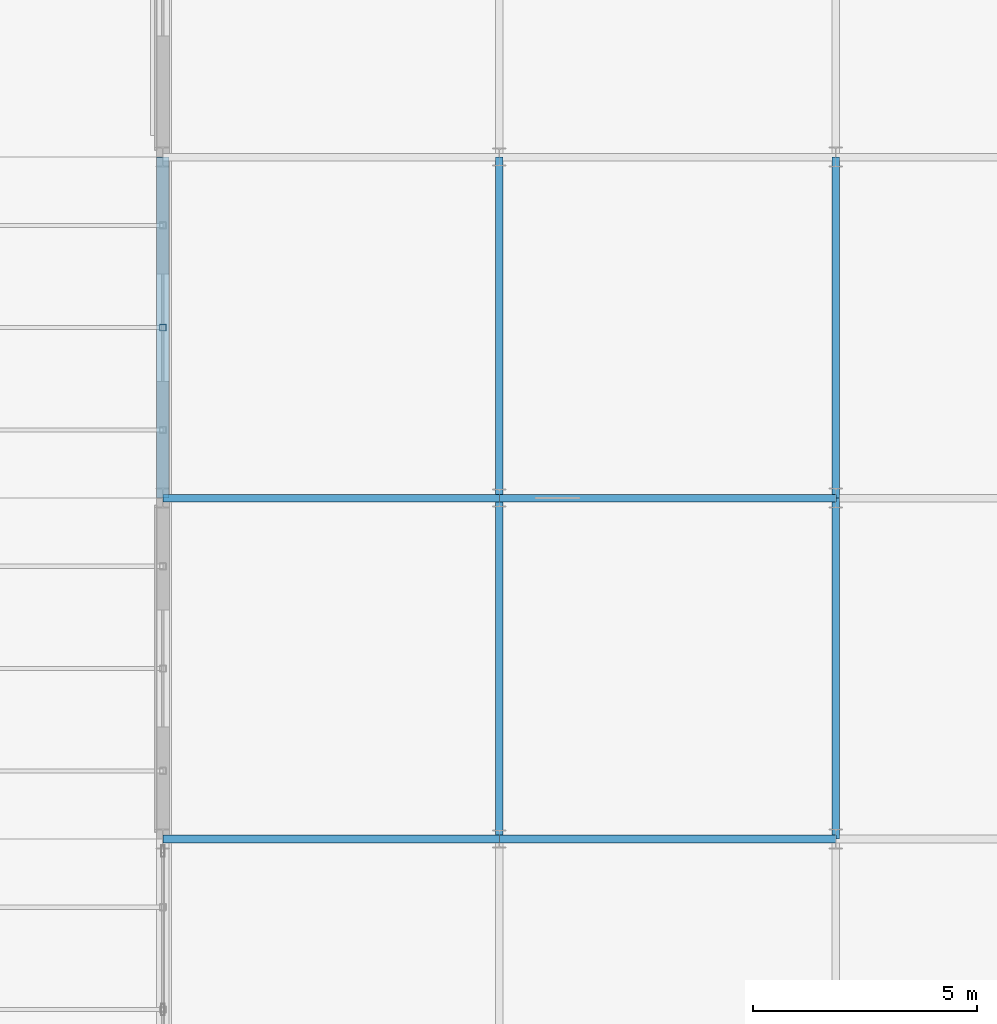
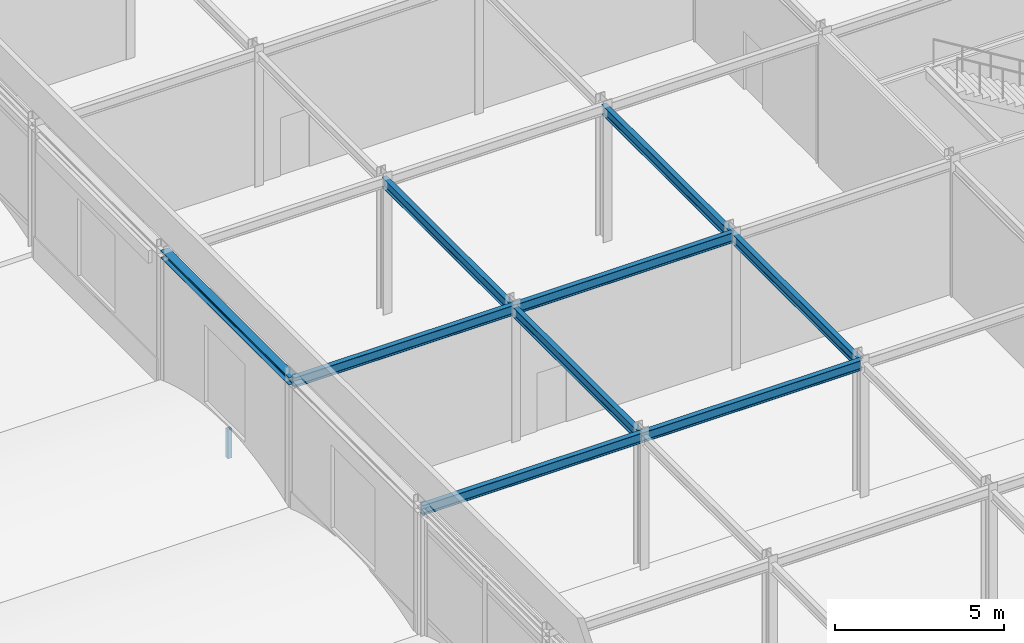
# One storey, part 23 of 113: 9 beams, 1 member.
"""IFC4 building model written with IfcOpenShell, lengths in metres."""

from ifc_helpers import new_model, si_unit, direction, frame, origin, origin_2d, place, context, subcontext, project, spatial, hollow_rectangle, i_section, extrude, material, material_profile, profile_set, type_object, element, save


model = new_model("IFC4")

# Units and contexts
model_context = context("Model", 3, precision=1e-05, world=origin(), true_north=direction((0.0, 1.0)))
body_context = subcontext(model_context, "Body", "Model", "MODEL_VIEW")
ifc_project = project(units=[si_unit("LENGTHUNIT", "METRE"), si_unit("AREAUNIT", "SQUARE_METRE"), si_unit("VOLUMEUNIT", "CUBIC_METRE"), si_unit("PLANEANGLEUNIT", "RADIAN"), si_unit("MASSUNIT", "GRAM", prefix="KILO")], contexts=[model_context])

# Site, building, storey
site_placement = place(None, origin())
site = spatial("IfcSite", under=ifc_project, at=site_placement, CompositionType="ELEMENT")
building_placement = place(site_placement, origin())
building = spatial("IfcBuilding", under=site, at=building_placement, Name="Shalkamar Park Central Library", CompositionType="ELEMENT")
storey_placement = place(building_placement, frame((0.0, 0.0, 5.39990234375)))
storey = spatial("IfcBuildingStorey", under=building, at=storey_placement, Name="L02", CompositionType="ELEMENT", Elevation=5.39990234375)

# Member
ifc_material = material(Name="Steel S355", Category="steel")
ifc_material_profile_1 = material_profile(ifc_material, hollow_rectangle(XDim=0.14990234375, YDim=0.14990234375, WallThickness=0.008056640625, InnerFilletRadius=0.008056640625, OuterFilletRadius=0.011962890625, at=origin_2d()), Name="SHS 150x150x8")
ifc_profile_set_1 = profile_set([ifc_material_profile_1], Name="Steel S355")
member_type = type_object("IfcMemberType", Name="Diagonal Brace SHS150", PredefinedType="BRACE", material=ifc_profile_set_1)
member_placement = place(storey_placement, frame((135.0, 304.60009765625, -0.35986328125), z_axis=(0.0, 0.0, 1.0), x_axis=(1.0, 0.0, 0.0)))
element("IfcMember", 1, at=member_placement, inside=storey, type_object=member_type, Name="Vault Arch Post BV-L01-W7-03.2", PredefinedType="BRACE", context=body_context, shape_type="SweptSolid", body=[
    extrude(hollow_rectangle(XDim=0.14990234375, YDim=0.14990234375, WallThickness=0.008056640625, InnerFilletRadius=0.008056640625, OuterFilletRadius=0.011962890625, at=origin_2d()), origin(), (0.0, 0.0, 1.0), 1.0400390625),
])

# Beams
ifc_material_profile_2 = material_profile(ifc_material, i_section(OverallWidth=0.280029296875, OverallDepth=0.27001953125, WebThickness=0.008056640625, FlangeThickness=0.012939453125, FilletRadius=0.02392578125, at=origin_2d()), Name="HEA 280")
ifc_profile_set_2 = profile_set([ifc_material_profile_2], Name="Steel S355")
beam_type_1 = type_object("IfcBeamType", Name="Perimeter Spandrel Beam HEA280", PredefinedType="SPANDREL", material=ifc_profile_set_2)
beam_1_placement = place(storey_placement, frame((135.0, 300.800048828125, 4.715087890625), z_axis=(0.0, 1.0, 0.0), x_axis=(-1.0, 0.0, 0.0)))
element("IfcBeam", 2, at=beam_1_placement, inside=storey, type_object=beam_type_1, Name="Beam 03:J-K (L02)", PredefinedType="SPANDREL", context=body_context, shape_type="SweptSolid", body=[
    extrude(i_section(OverallWidth=0.280029296875, OverallDepth=0.27001953125, WebThickness=0.008056640625, FlangeThickness=0.012939453125, FilletRadius=0.02392578125, at=origin_2d()), origin(), (0.0, 0.0, 1.0), 7.599853515625),
])
ifc_material_profile_3 = material_profile(ifc_material, i_section(OverallWidth=0.169921875, OverallDepth=0.360107421875, WebThickness=0.008056640625, FlangeThickness=0.0126953125, FilletRadius=0.01806640625, at=origin_2d()), Name="IPE 360")
ifc_profile_set_3 = profile_set([ifc_material_profile_3], Name="Steel S355")
beam_type_2 = type_object("IfcBeamType", Name="Primary Girder IPE360", PredefinedType="BEAM", material=ifc_profile_set_3)
for number, where, z_axis, x_axis, name in (
    (3, (135.0, 293.199951171875, 4.670166015625), (1.0, 0.0, 0.0), (0.0, 1.0, 0.0), "Beam H:03-04 (L02)"),
    (4, (142.5, 293.199951171875, 4.670166015625), (1.0, 0.0, 0.0), (0.0, 1.0, 0.0), "Beam H:04-05 (L02)"),
    (5, (135.0, 300.800048828125, 4.670166015625), (1.0, 0.0, 0.0), (0.0, 1.0, 0.0), "Beam J:03-04 (L02)"),
    (6, (142.5, 300.800048828125, 4.670166015625), (1.0, 0.0, 0.0), (0.0, 1.0, 0.0), "Beam J:04-05 (L02)"),
):
    element("IfcBeam", number, at=place(storey_placement, frame(where, z_axis=z_axis, x_axis=x_axis)), inside=storey, type_object=beam_type_2, Name=name, PredefinedType="BEAM", context=body_context, shape_type="SweptSolid", body=[
        extrude(i_section(OverallWidth=0.169921875, OverallDepth=0.360107421875, WebThickness=0.008056640625, FlangeThickness=0.0126953125, FilletRadius=0.01806640625, at=origin_2d()), origin(), (0.0, 0.0, 1.0), 7.5),
    ])
beam_2_placement = place(storey_placement, frame((142.5, 293.199951171875, 4.670166015625), z_axis=(0.0, 1.0, 0.0), x_axis=(-1.0, 0.0, 0.0)))
element("IfcBeam", 7, at=beam_2_placement, inside=storey, type_object=beam_type_2, Name="Beam 04:H-J (L02)", PredefinedType="BEAM", context=body_context, shape_type="SweptSolid", body=[
    extrude(i_section(OverallWidth=0.169921875, OverallDepth=0.360107421875, WebThickness=0.008056640625, FlangeThickness=0.0126953125, FilletRadius=0.01806640625, at=origin_2d()), origin(), (0.0, 0.0, 1.0), 7.60009765625),
])
beam_3_placement = place(storey_placement, frame((142.5, 300.800048828125, 4.670166015625), z_axis=(0.0, 1.0, 0.0), x_axis=(-1.0, 0.0, 0.0)))
element("IfcBeam", 8, at=beam_3_placement, inside=storey, type_object=beam_type_2, Name="Beam 04:J-K (L02)", PredefinedType="BEAM", context=body_context, shape_type="SweptSolid", body=[
    extrude(i_section(OverallWidth=0.169921875, OverallDepth=0.360107421875, WebThickness=0.008056640625, FlangeThickness=0.0126953125, FilletRadius=0.01806640625, at=origin_2d()), origin(), (0.0, 0.0, 1.0), 7.599853515625),
])
beam_4_placement = place(storey_placement, frame((150.0, 293.199951171875, 4.670166015625), z_axis=(0.0, 1.0, 0.0), x_axis=(-1.0, 0.0, 0.0)))
element("IfcBeam", 9, at=beam_4_placement, inside=storey, type_object=beam_type_2, Name="Beam 05:H-J (L02)", PredefinedType="BEAM", context=body_context, shape_type="SweptSolid", body=[
    extrude(i_section(OverallWidth=0.169921875, OverallDepth=0.360107421875, WebThickness=0.008056640625, FlangeThickness=0.0126953125, FilletRadius=0.01806640625, at=origin_2d()), origin(), (0.0, 0.0, 1.0), 7.60009765625),
])
beam_5_placement = place(storey_placement, frame((150.0, 300.800048828125, 4.670166015625), z_axis=(0.0, 1.0, 0.0), x_axis=(-1.0, 0.0, 0.0)))
element("IfcBeam", 10, at=beam_5_placement, inside=storey, type_object=beam_type_2, Name="Beam 05:J-K (L02)", PredefinedType="BEAM", context=body_context, shape_type="SweptSolid", body=[
    extrude(i_section(OverallWidth=0.169921875, OverallDepth=0.360107421875, WebThickness=0.008056640625, FlangeThickness=0.0126953125, FilletRadius=0.01806640625, at=origin_2d()), origin(), (0.0, 0.0, 1.0), 7.599853515625),
])

save(model, "model.ifc")
